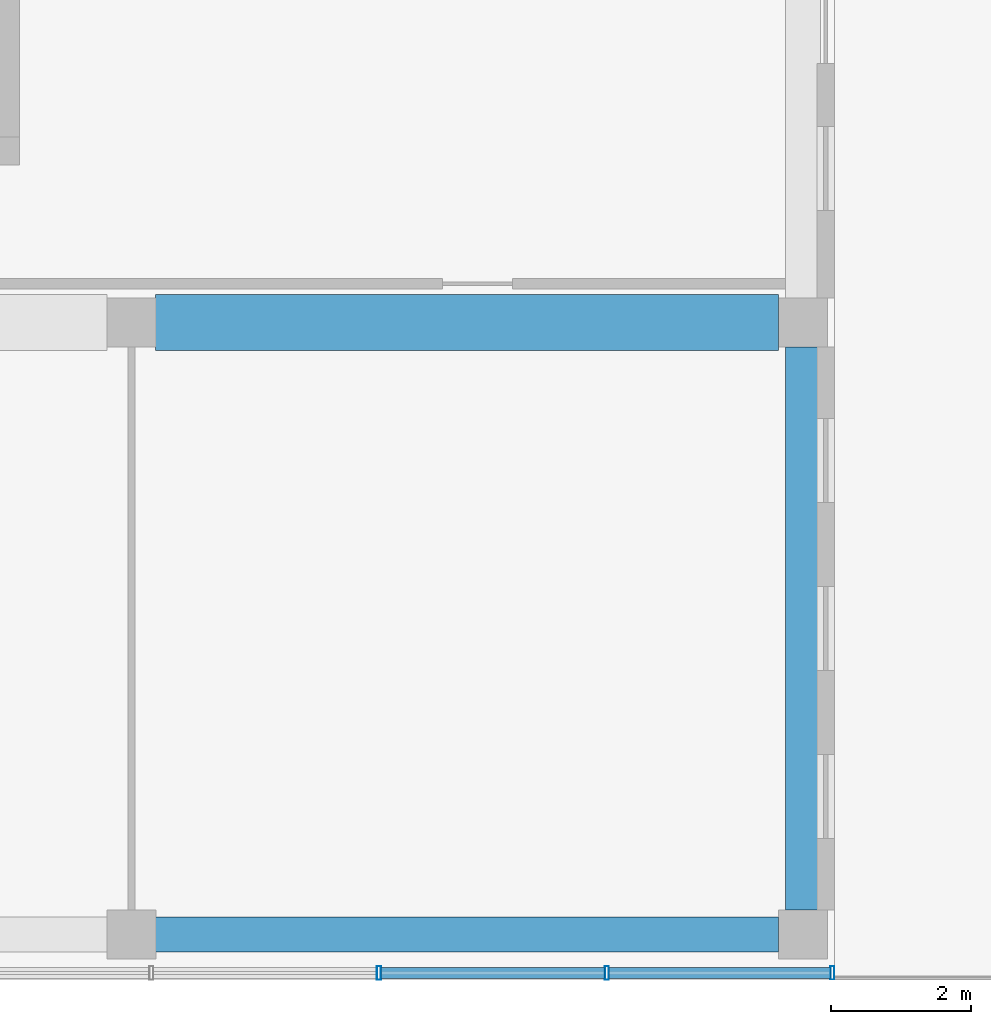
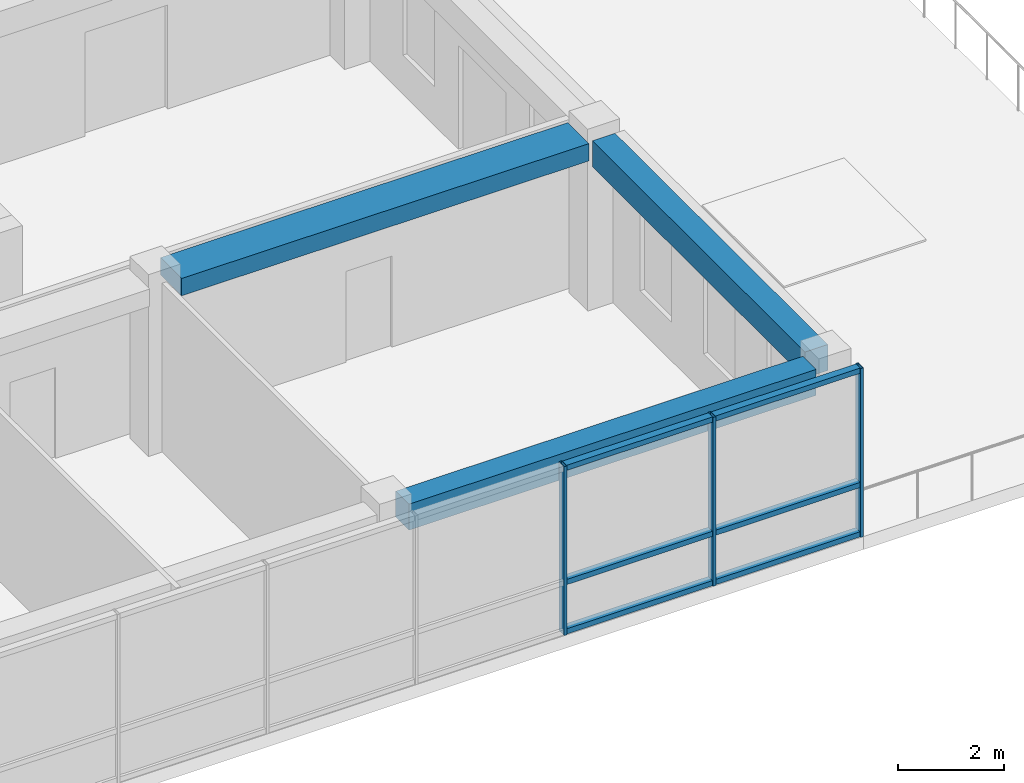
# One storey, part 11 of 27: 9 members, 3 beams, 1 element without a shape of its own.
"""IFC4 building model written with IfcOpenShell, lengths in metres."""

from ifc_helpers import new_model, si_unit, direction, frame, origin, origin_2d, place, context, subcontext, project, spatial, rectangle, hollow_rectangle, extrude, material, layer, layer_set, material_profile, profile_set, type_object, element, aggregate, save


model = new_model("IFC4")

# Units and contexts
model_context = context("Model", 3, precision=1e-05, world=origin(), true_north=direction((0.0, 1.0)))
body_context = subcontext(model_context, "Body", "Model", "MODEL_VIEW")
ifc_project = project(units=[si_unit("LENGTHUNIT", "METRE"), si_unit("AREAUNIT", "SQUARE_METRE"), si_unit("VOLUMEUNIT", "CUBIC_METRE"), si_unit("PLANEANGLEUNIT", "RADIAN"), si_unit("MASSUNIT", "GRAM", prefix="KILO")], contexts=[model_context])

# Site, building, storey
site_placement = place(None, origin())
site = spatial("IfcSite", under=ifc_project, at=site_placement, CompositionType="ELEMENT")
building_placement = place(site_placement, origin())
building = spatial("IfcBuilding", under=site, at=building_placement, Name="Nzadi Deep Aquarium and Research Tower", CompositionType="ELEMENT")
storey_placement = place(building_placement, frame((0.0, 0.0, 69.699951171875)))
storey = spatial("IfcBuildingStorey", under=building, at=storey_placement, Name="L14", CompositionType="ELEMENT", Elevation=69.699951171875)

# Curtain wall, members
ifc_material_1 = material(Name="Aluminium unitised frame", Category="aluminium")
ifc_layer = layer(ifc_material_1, 0.199951171875)
ifc_layer_set = layer_set([ifc_layer], Name="Aluminium unitised frame")
curtain_wall_type = type_object("IfcCurtainWallType", Name="Curtain wall Unitised 200", PredefinedType="NOTDEFINED", material=ifc_layer_set)
curtain_wall_placement = place(storey_placement, origin())
curtain_wall = element("IfcCurtainWall", 1, at=curtain_wall_placement, inside=storey, type_object=curtain_wall_type, Name="Unitised curtain wall blade A south L14", PredefinedType="NOTDEFINED")
ifc_material_2 = material(Name="Aluminium unitised frame", Category="aluminium")
ifc_material_profile_1 = material_profile(ifc_material_2, hollow_rectangle(XDim=0.199951171875, YDim=0.06005859375, WallThickness=0.0048828125, at=origin_2d()))
ifc_profile_set_1 = profile_set([ifc_material_profile_1], Name="Aluminium unitised frame")
member_type_1 = type_object("IfcMemberType", Name="Mullion 60x200 Unitised", PredefinedType="MULLION", material=ifc_profile_set_1)
member_1_placement = place(storey_placement, frame((32.341552734375, -0.10009765625, 0.0), z_axis=(0.0, 0.0, 1.0), x_axis=(0.0, 1.0, 0.0)))
member_1 = element("IfcMember", 2, at=member_1_placement, type_object=member_type_1, Name="CW064 mullion 11", PredefinedType="MULLION", context=body_context, shape_type="SweptSolid", body=[
    extrude(hollow_rectangle(XDim=0.199951171875, YDim=0.06005859375, WallThickness=0.0048828125, at=origin_2d()), origin(), (0.0, 0.0, 1.0), 3.900146484375),
])
member_2_placement = place(storey_placement, frame((35.595947265625, -0.10009765625, 0.0), z_axis=(0.0, 0.0, 1.0), x_axis=(0.0, 1.0, 0.0)))
member_2 = element("IfcMember", 3, at=member_2_placement, type_object=member_type_1, Name="CW064 mullion 12", PredefinedType="MULLION", context=body_context, shape_type="SweptSolid", body=[
    extrude(hollow_rectangle(XDim=0.199951171875, YDim=0.06005859375, WallThickness=0.0048828125, at=origin_2d()), origin(), (0.0, 0.0, 1.0), 3.900146484375),
])
member_3_placement = place(storey_placement, frame((38.820068359375, -0.10009765625, 0.0), z_axis=(0.0, 0.0, 1.0), x_axis=(0.0, 1.0, 0.0)))
member_3 = element("IfcMember", 4, at=member_3_placement, type_object=member_type_1, Name="CW064 mullion 13", PredefinedType="MULLION", context=body_context, shape_type="SweptSolid", body=[
    extrude(hollow_rectangle(XDim=0.199951171875, YDim=0.06005859375, WallThickness=0.0048828125, at=origin_2d()), origin(), (0.0, 0.0, 1.0), 3.900146484375),
])

# Beams
ifc_material_3 = material(Name="Concrete C35/45", Category="concrete")
ifc_material_profile_2 = material_profile(ifc_material_3, rectangle(XDim=0.5, YDim=0.60009765625, at=origin_2d()))
ifc_profile_set_2 = profile_set([ifc_material_profile_2], Name="Concrete C35/45")
beam_type_1 = type_object("IfcBeamType", Name="RC 500x600", PredefinedType="BEAM", material=ifc_profile_set_2)
beam_1_placement = place(storey_placement, frame((29.14990234375, 0.449951171875, 3.60009765625), z_axis=(1.0, 0.0, 0.0), x_axis=(0.0, 1.0, 0.0)))
element("IfcBeam", 5, at=beam_1_placement, inside=storey, type_object=beam_type_1, Name="B-Z1-L14-L1-4", PredefinedType="BEAM", context=body_context, shape_type="SweptSolid", body=[
    extrude(rectangle(XDim=0.5, YDim=0.60009765625, at=origin_2d()), origin(), (0.0, 0.0, 1.0), 8.900146484375),
])
beam_2_placement = place(storey_placement, frame((38.39990234375, 0.800048828125, 3.60009765625), z_axis=(0.0, 1.0, 0.0), x_axis=(-1.0, 0.0, 0.0)))
element("IfcBeam", 6, at=beam_2_placement, inside=storey, type_object=beam_type_1, Name="B-Z1-L14-CE-1-1", PredefinedType="BEAM", context=body_context, shape_type="SweptSolid", body=[
    extrude(rectangle(XDim=0.5, YDim=0.60009765625, at=origin_2d()), origin(), (0.0, 0.0, 1.0), 8.050048828125),
])
ifc_material_4 = material(Name="Concrete C35/45", Category="concrete")
ifc_material_profile_3 = material_profile(ifc_material_4, rectangle(XDim=0.800048828125, YDim=0.39990234375, at=origin_2d()))
ifc_profile_set_3 = profile_set([ifc_material_profile_3], Name="Concrete C35/45")
beam_type_2 = type_object("IfcBeamType", Name="RC 800x400", PredefinedType="BEAM", material=ifc_profile_set_3)
beam_3_placement = place(storey_placement, frame((29.14990234375, 9.199951171875, 3.699951171875), z_axis=(1.0, 0.0, 0.0), x_axis=(0.0, 1.0, 0.0)))
element("IfcBeam", 7, at=beam_3_placement, inside=storey, type_object=beam_type_2, Name="B-Z1-L14-L2-4", PredefinedType="BEAM", context=body_context, shape_type="SweptSolid", body=[
    extrude(rectangle(XDim=0.800048828125, YDim=0.39990234375, at=origin_2d()), origin(), (0.0, 0.0, 1.0), 8.900146484375),
])

# Member
ifc_material_5 = material(Name="Aluminium unitised frame", Category="aluminium")
ifc_material_profile_4 = material_profile(ifc_material_5, hollow_rectangle(XDim=0.159912109375, YDim=0.1201171875, WallThickness=0.0048828125, at=origin_2d()))
ifc_profile_set_4 = profile_set([ifc_material_profile_4], Name="Aluminium unitised frame")
member_type_2 = type_object("IfcMemberType", Name="Transom 120x160 Unitised", PredefinedType="MULLION", material=ifc_profile_set_4)
member_4_placement = place(storey_placement, frame((32.37158203125, -0.10009765625, 0.06005859375), z_axis=(1.0, 0.0, 0.0), x_axis=(0.0, 1.0, 0.0)))
member_4 = element("IfcMember", 8, at=member_4_placement, type_object=member_type_2, Name="CW064 transom 11.1", PredefinedType="MULLION", context=body_context, shape_type="SweptSolid", body=[
    extrude(hollow_rectangle(XDim=0.159912109375, YDim=0.1201171875, WallThickness=0.0048828125, at=origin_2d()), origin(), (0.0, 0.0, 1.0), 3.1943359375),
])

member_5_placement = place(storey_placement, frame((32.37158203125, -0.10009765625, 1.199951171875), z_axis=(1.0, 0.0, 0.0), x_axis=(0.0, 1.0, 0.0)))
member_5 = element("IfcMember", 9, at=member_5_placement, type_object=member_type_2, Name="CW064 transom 11.2", PredefinedType="MULLION", context=body_context, shape_type="SweptSolid", body=[
    extrude(hollow_rectangle(XDim=0.159912109375, YDim=0.1201171875, WallThickness=0.0048828125, at=origin_2d()), origin(), (0.0, 0.0, 1.0), 3.1943359375),
])

member_6_placement = place(storey_placement, frame((32.37158203125, -0.10009765625, 3.840087890625), z_axis=(1.0, 0.0, 0.0), x_axis=(0.0, 1.0, 0.0)))
member_6 = element("IfcMember", 10, at=member_6_placement, type_object=member_type_2, Name="CW064 transom 11.3", PredefinedType="MULLION", context=body_context, shape_type="SweptSolid", body=[
    extrude(hollow_rectangle(XDim=0.159912109375, YDim=0.1201171875, WallThickness=0.0048828125, at=origin_2d()), origin(), (0.0, 0.0, 1.0), 3.1943359375),
])

member_7_placement = place(storey_placement, frame((35.625732421875, -0.10009765625, 0.06005859375), z_axis=(1.0, 0.0, 0.0), x_axis=(0.0, 1.0, 0.0)))
member_7 = element("IfcMember", 11, at=member_7_placement, type_object=member_type_2, Name="CW064 transom 12.1", PredefinedType="MULLION", context=body_context, shape_type="SweptSolid", body=[
    extrude(hollow_rectangle(XDim=0.159912109375, YDim=0.1201171875, WallThickness=0.0048828125, at=origin_2d()), origin(), (0.0, 0.0, 1.0), 3.164306640625),
])

member_8_placement = place(storey_placement, frame((35.625732421875, -0.10009765625, 1.199951171875), z_axis=(1.0, 0.0, 0.0), x_axis=(0.0, 1.0, 0.0)))
member_8 = element("IfcMember", 12, at=member_8_placement, type_object=member_type_2, Name="CW064 transom 12.2", PredefinedType="MULLION", context=body_context, shape_type="SweptSolid", body=[
    extrude(hollow_rectangle(XDim=0.159912109375, YDim=0.1201171875, WallThickness=0.0048828125, at=origin_2d()), origin(), (0.0, 0.0, 1.0), 3.164306640625),
])

member_9_placement = place(storey_placement, frame((35.625732421875, -0.10009765625, 3.840087890625), z_axis=(1.0, 0.0, 0.0), x_axis=(0.0, 1.0, 0.0)))
member_9 = element("IfcMember", 13, at=member_9_placement, type_object=member_type_2, Name="CW064 transom 12.3", PredefinedType="MULLION", context=body_context, shape_type="SweptSolid", body=[
    extrude(hollow_rectangle(XDim=0.159912109375, YDim=0.1201171875, WallThickness=0.0048828125, at=origin_2d()), origin(), (0.0, 0.0, 1.0), 3.164306640625),
])

aggregate(curtain_wall, [member_1, member_2, member_3, member_4, member_5, member_6, member_7, member_8, member_9])

save(model, "model.ifc")
